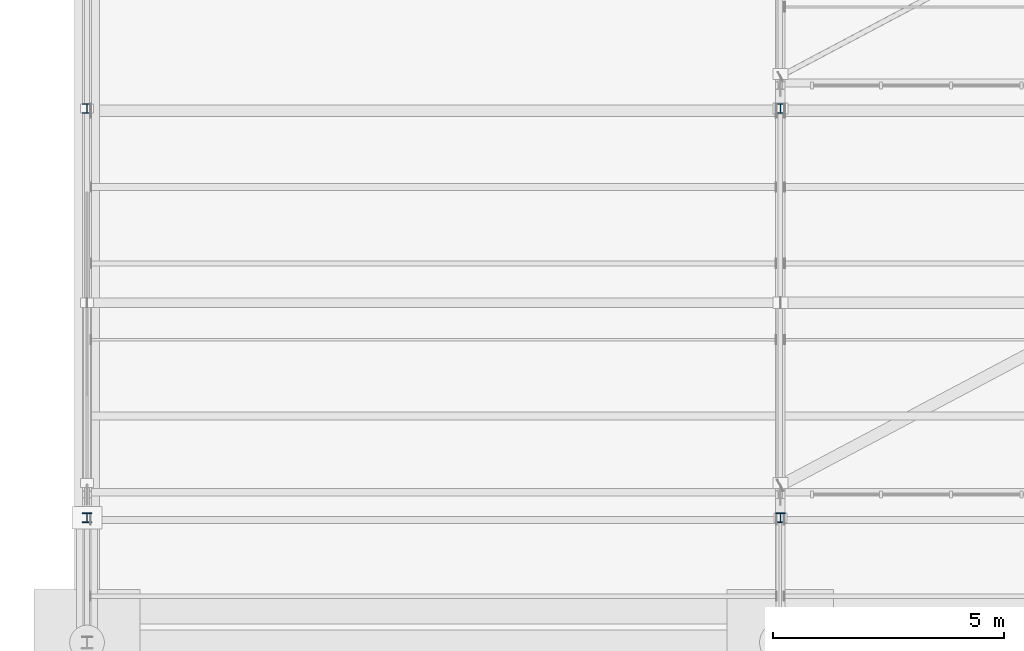
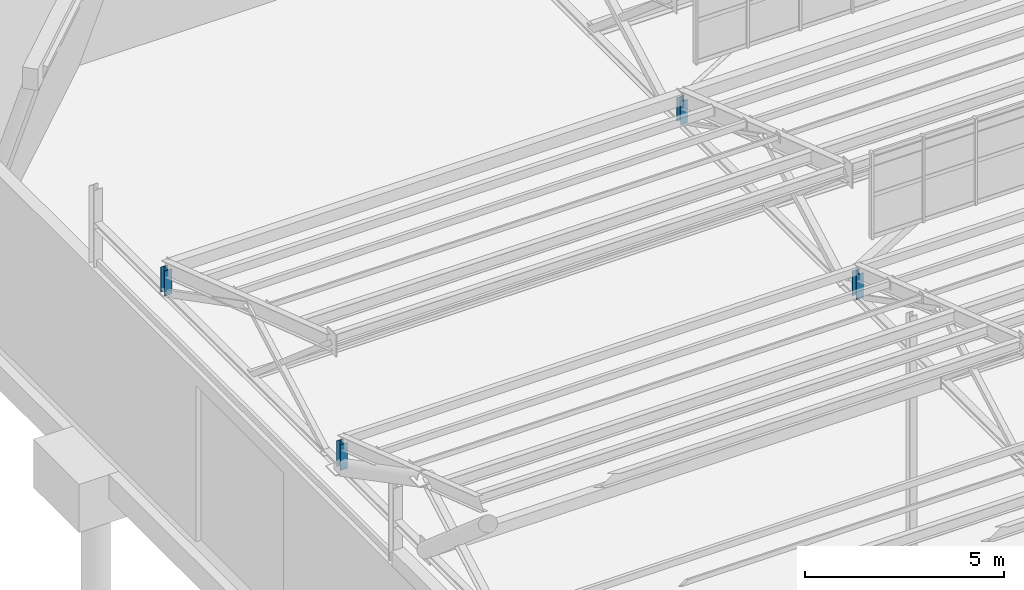
# One storey, part 146 of 285: 4 members.
"""IFC4 building model written with IfcOpenShell, lengths in metres."""

from ifc_helpers import new_model, si_unit, direction, frame, origin, origin_2d, place, context, subcontext, project, spatial, i_section, extrude, material, material_profile, profile_set, type_object, element, save


model = new_model("IFC4")

# Units and contexts
model_context = context("Model", 3, precision=1e-05, world=origin(), true_north=direction((0.0, 1.0)))
body_context = subcontext(model_context, "Body", "Model", "MODEL_VIEW")
ifc_project = project(units=[si_unit("LENGTHUNIT", "METRE"), si_unit("AREAUNIT", "SQUARE_METRE"), si_unit("VOLUMEUNIT", "CUBIC_METRE"), si_unit("PLANEANGLEUNIT", "RADIAN"), si_unit("MASSUNIT", "GRAM", prefix="KILO")], contexts=[model_context])

# Site, building, storey
site_placement = place(None, origin())
site = spatial("IfcSite", under=ifc_project, at=site_placement, CompositionType="ELEMENT")
building_placement = place(site_placement, origin())
building = spatial("IfcBuilding", under=site, at=building_placement, Name="Solanera Park Tramway Depot", CompositionType="ELEMENT")
storey_placement = place(building_placement, origin())
storey = spatial("IfcBuildingStorey", under=building, at=storey_placement, Name="L00", CompositionType="ELEMENT", Elevation=0.0)

# Members
ifc_material = material(Name="Steel AS/NZS 3679.1 Grade 350", Category="steel")
ifc_material_profile = material_profile(ifc_material, i_section(OverallWidth=0.205078125, OverallDepth=0.209716796875, WebThickness=0.00927734375, FlangeThickness=0.01416015625, at=origin_2d()), Name="200UC59.5")
ifc_profile_set = profile_set([ifc_material_profile], Name="Steel AS/NZS 3679.1 Grade 350")
member_type = type_object("IfcMemberType", Name="Roof Gantry Compression Strut 200UC59.5", PredefinedType="STRUT", material=ifc_profile_set)
member_1_placement = place(storey_placement, frame((0.0, 117.199951171875, 6.5), z_axis=(0.0, 0.0, 1.0), x_axis=(1.0, 0.0, 0.0)))
element("IfcMember", 1, at=member_1_placement, inside=storey, type_object=member_type, Name="Sawtooth ROOF TRUSS Valley Post 200UC59.5 #0063", PredefinedType="STRUT", context=body_context, shape_type="SweptSolid", body=[
    extrude(i_section(OverallWidth=0.205078125, OverallDepth=0.209716796875, WebThickness=0.00927734375, FlangeThickness=0.01416015625, at=origin_2d()), origin(), (0.0, 0.0, 1.0), 0.78759765625),
])
for number, where, z_axis, x_axis, name in (
    (2, (15.0, 117.199951171875, 6.5), (0.0, 0.0, 1.0), (1.0, 0.0, 0.0), "Sawtooth ROOF TRUSS Valley Post 200UC59.5 #0064"),
    (3, (0.0, 126.050048828125, 6.5), (0.0, 0.0, 1.0), (1.0, 0.0, 0.0), "Sawtooth ROOF TRUSS Valley Post 200UC59.5 #0074"),
):
    element("IfcMember", number, at=place(storey_placement, frame(where, z_axis=z_axis, x_axis=x_axis)), inside=storey, type_object=member_type, Name=name, PredefinedType="STRUT", context=body_context, shape_type="SweptSolid", body=[
        extrude(i_section(OverallWidth=0.205078125, OverallDepth=0.209716796875, WebThickness=0.00927734375, FlangeThickness=0.01416015625, at=origin_2d()), origin(), (0.0, 0.0, 1.0), 0.76220703125),
    ])
member_2_placement = place(storey_placement, frame((15.0, 126.050048828125, 6.5), z_axis=(0.0, 0.0, 1.0), x_axis=(1.0, 0.0, 0.0)))
element("IfcMember", 4, at=member_2_placement, inside=storey, type_object=member_type, Name="Sawtooth ROOF TRUSS Valley Post 200UC59.5 #0075", PredefinedType="STRUT", context=body_context, shape_type="SweptSolid", body=[
    extrude(i_section(OverallWidth=0.205078125, OverallDepth=0.209716796875, WebThickness=0.00927734375, FlangeThickness=0.01416015625, at=origin_2d()), origin(), (0.0, 0.0, 1.0), 0.724365234375),
])

save(model, "model.ifc")
